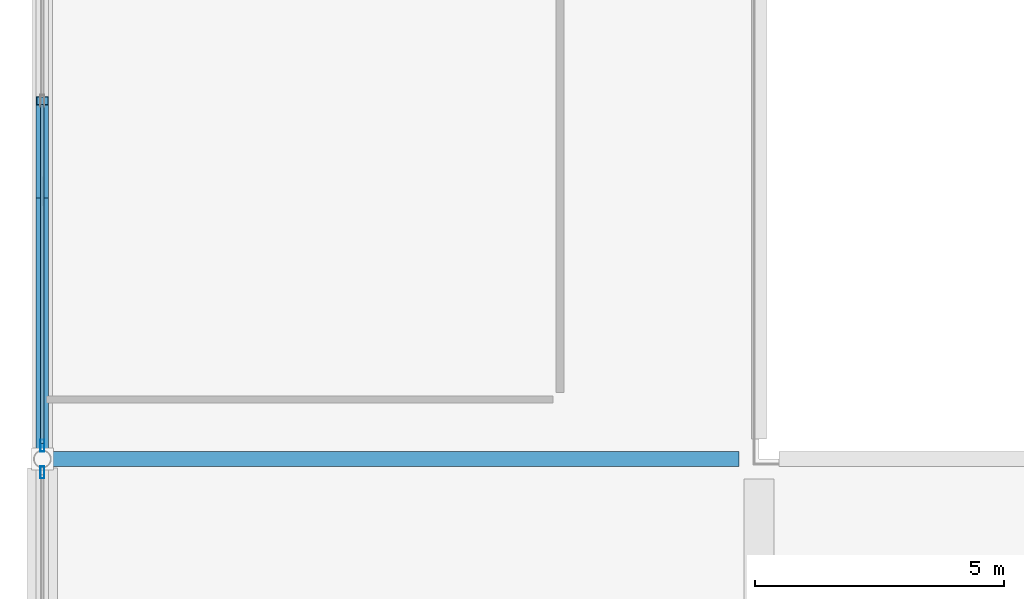
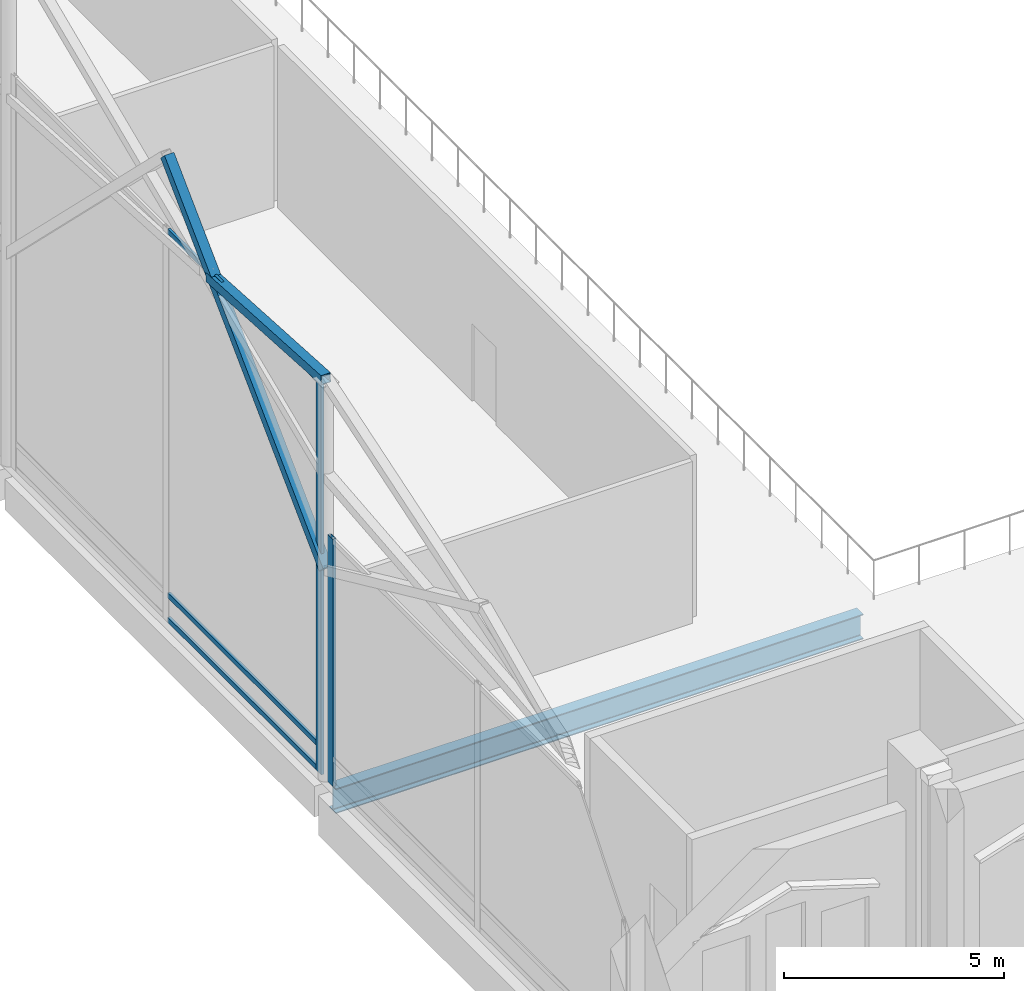
# One storey, part 49 of 220: 7 members, 1 beam, 2 elements without a shape of their own.
"""IFC4 building model written with IfcOpenShell, lengths in metres."""

from ifc_helpers import new_model, si_unit, direction, frame, origin, origin_2d, place, context, subcontext, project, spatial, hollow_rectangle, i_section, extrude, material, material_profile, profile_set, type_object, element, aggregate, save


model = new_model("IFC4")

# Units and contexts
model_context = context("Model", 3, precision=1e-05, world=origin(), true_north=direction((0.0, 1.0)))
body_context = subcontext(model_context, "Body", "Model", "MODEL_VIEW")
ifc_project = project(units=[si_unit("LENGTHUNIT", "METRE"), si_unit("AREAUNIT", "SQUARE_METRE"), si_unit("VOLUMEUNIT", "CUBIC_METRE"), si_unit("PLANEANGLEUNIT", "RADIAN"), si_unit("MASSUNIT", "GRAM", prefix="KILO")], contexts=[model_context])

# Site, building, storey
site_placement = place(None, origin())
site = spatial("IfcSite", under=ifc_project, at=site_placement, CompositionType="ELEMENT")
building_placement = place(site_placement, origin())
building = spatial("IfcBuilding", under=site, at=building_placement, Name="Cendralis Lancet Convention Centre", CompositionType="ELEMENT")
storey_placement = place(building_placement, frame((0.0, 0.0, 5.39990234375)))
storey = spatial("IfcBuildingStorey", under=building, at=storey_placement, Name="L01", CompositionType="ELEMENT", Elevation=5.39990234375)

# Curtain wall, member
ifc_material_1 = material(Name="Anodised bronze architectural aluminium", Category="aluminium")
curtain_wall_type = type_object("IfcCurtainWallType", Name="ARC-CW-GB02", PredefinedType="USERDEFINED", material=ifc_material_1)
curtain_wall_1_placement = place(storey_placement, origin())
curtain_wall_1 = element("IfcCurtainWall", 1, at=curtain_wall_1_placement, inside=storey, type_object=curtain_wall_type, Name="L01 Curtain Wall CW-GB2 #099", ObjectType="CURTAIN WALL", PredefinedType="USERDEFINED")
ifc_material_profile_1 = material_profile(ifc_material_1, hollow_rectangle(XDim=0.080078125, YDim=0.239990234375, WallThickness=0.0048828125, at=origin_2d()), Name="AL-MULL 80x240x5.0")
ifc_profile_set_1 = profile_set([ifc_material_profile_1], Name="Anodised bronze architectural aluminium")
member_type_1 = type_object("IfcMemberType", Name="ARC-CW-ML03", PredefinedType="MULLION", material=ifc_profile_set_1)
member_1_placement = place(storey_placement, frame((0.0, 64.5322265625, 0.0), z_axis=(0.0, 0.0, 1.0), x_axis=(1.0, 0.0, 0.0)))
member_1 = element("IfcMember", 2, at=member_1_placement, type_object=member_type_1, Name="Mullion CW2-CW-GB2-L01-099-M2", PredefinedType="MULLION", context=body_context, shape_type="SweptSolid", body=[
    extrude(hollow_rectangle(XDim=0.080078125, YDim=0.239990234375, WallThickness=0.0048828125, at=origin_2d()), origin(), (0.0, 0.0, 1.0), 6.85009765625),
])
aggregate(curtain_wall_1, [member_1])

# Curtain wall, members
curtain_wall_2_placement = place(storey_placement, origin())
curtain_wall_2 = element("IfcCurtainWall", 3, at=curtain_wall_2_placement, inside=storey, type_object=curtain_wall_type, Name="L01 Curtain Wall CW-GB2 #100", ObjectType="CURTAIN WALL", PredefinedType="USERDEFINED")
member_2_placement = place(storey_placement, frame((0.0, 65.06787109375, 0.0), z_axis=(0.0, 0.0, 1.0), x_axis=(1.0, 0.0, 0.0)))
member_2 = element("IfcMember", 4, at=member_2_placement, type_object=member_type_1, Name="Mullion CW2-CW-GB2-L01-100-M0", PredefinedType="MULLION", context=body_context, shape_type="SweptSolid", body=[
    extrude(hollow_rectangle(XDim=0.080078125, YDim=0.239990234375, WallThickness=0.0048828125, at=origin_2d()), origin(), (0.0, 0.0, 1.0), 10.901123046875),
])
ifc_material_profile_2 = material_profile(ifc_material_1, hollow_rectangle(XDim=0.070068359375, YDim=0.139892578125, WallThickness=0.00390625, at=origin_2d()), Name="AL-TRAN 70x140x4.0")
ifc_profile_set_2 = profile_set([ifc_material_profile_2], Name="Anodised bronze architectural aluminium")
member_type_2 = type_object("IfcMemberType", Name="ARC-CW-TR02", PredefinedType="USERDEFINED", material=ifc_profile_set_2)
member_3_placement = place(storey_placement, frame((0.0, 65.10791015625, 0.070068359375), z_axis=(0.0, 1.0, 0.0), x_axis=(-1.0, 0.0, 0.0)))
member_3 = element("IfcMember", 5, at=member_3_placement, type_object=member_type_2, Name="Transom CW2-CW-GB2-L01-100-T0BOT", ObjectType="TRANSOM", PredefinedType="USERDEFINED", context=body_context, shape_type="SweptSolid", body=[
    extrude(hollow_rectangle(XDim=0.070068359375, YDim=0.139892578125, WallThickness=0.00390625, at=origin_2d()), origin(), (0.0, 0.0, 1.0), 6.81201171875),
])
member_4_placement = place(storey_placement, frame((0.0, 65.10791015625, 0.75), z_axis=(0.0, 1.0, 0.0), x_axis=(-1.0, 0.0, 0.0)))
member_4 = element("IfcMember", 6, at=member_4_placement, type_object=member_type_2, Name="Transom CW2-CW-GB2-L01-100-T0MID", ObjectType="TRANSOM", PredefinedType="USERDEFINED", context=body_context, shape_type="SweptSolid", body=[
    extrude(hollow_rectangle(XDim=0.070068359375, YDim=0.139892578125, WallThickness=0.00390625, at=origin_2d()), origin(), (0.0, 0.0, 1.0), 6.81201171875),
])
member_5_placement = place(storey_placement, frame((0.0, 65.10791015625, 10.8310546875), z_axis=(0.0, 1.0, 0.0), x_axis=(-1.0, 0.0, 0.0)))
member_5 = element("IfcMember", 7, at=member_5_placement, type_object=member_type_2, Name="Transom CW2-CW-GB2-L01-100-T0TOP", ObjectType="TRANSOM", PredefinedType="USERDEFINED", context=body_context, shape_type="SweptSolid", body=[
    extrude(hollow_rectangle(XDim=0.070068359375, YDim=0.139892578125, WallThickness=0.00390625, at=origin_2d()), origin(), (0.0, 0.0, 1.0), 6.81201171875),
])
aggregate(curtain_wall_2, [member_2, member_3, member_4, member_5])

# Beam
ifc_material_2 = material(Name="Steel S355", Category="steel")
ifc_material_profile_3 = material_profile(ifc_material_2, i_section(OverallWidth=0.300048828125, OverallDepth=0.68994140625, WebThickness=0.014404296875, FlangeThickness=0.027099609375, FilletRadius=0.027099609375, at=origin_2d()), Name="HEA 700")
ifc_profile_set_3 = profile_set([ifc_material_profile_3], Name="Steel S355")
beam_type = type_object("IfcBeamType", Name="STR-BM-SG08", PredefinedType="BEAM", material=ifc_profile_set_3)
beam_placement = place(storey_placement, frame((0.177734375, 64.800048828125, -0.625), z_axis=(1.0, 0.0, 0.0), x_axis=(0.0, 1.0, 0.0)))
element("IfcBeam", 8, at=beam_placement, inside=storey, type_object=beam_type, Name="L01 Beam SG08 #1193", PredefinedType="BEAM", context=body_context, shape_type="SweptSolid", body=[
    extrude(i_section(OverallWidth=0.300048828125, OverallDepth=0.68994140625, WebThickness=0.014404296875, FlangeThickness=0.027099609375, FilletRadius=0.027099609375, at=origin_2d()), origin(), (0.0, 0.0, 1.0), 13.822265625),
])

# Members
ifc_material_profile_4 = material_profile(ifc_material_2, hollow_rectangle(XDim=0.25, YDim=0.25, WallThickness=0.012451171875, at=origin_2d()), Name="SHS 250x250x12.5")
ifc_profile_set_4 = profile_set([ifc_material_profile_4], Name="Steel S355")
member_type_3 = type_object("IfcMemberType", Name="STR-BR-GB01", PredefinedType="BRACE", material=ifc_profile_set_4)
member_6_placement = place(storey_placement, frame((0.0, 64.800048828125, 5.800048828125), z_axis=(0.0, 0.712944916229, 0.701220041373), x_axis=(-1.0, 0.0, 0.0)))
element("IfcMember", 9, at=member_6_placement, inside=storey, type_object=member_type_3, Name="Exhibition Gable Gothic Ogival Tracery Rib GBR1 #006", PredefinedType="BRACE", context=body_context, shape_type="SweptSolid", body=[
    extrude(hollow_rectangle(XDim=0.25, YDim=0.25, WallThickness=0.012451171875, at=origin_2d()), origin(), (0.0, 0.0, 1.0), 10.098876953125),
])
member_7_placement = place(storey_placement, frame((0.0, 70.034423828125, 10.742919921875), z_axis=(0.0, -0.998272124662, 0.058760234203), x_axis=(1.0, 0.0, 0.0)))
element("IfcMember", 10, at=member_7_placement, inside=storey, type_object=member_type_3, Name="Exhibition Gable Split X-Brace Rib GBR1 #010", PredefinedType="BRACE", context=body_context, shape_type="SweptSolid", body=[
    extrude(hollow_rectangle(XDim=0.25, YDim=0.25, WallThickness=0.012451171875, at=origin_2d()), origin(), (0.0, 0.0, 1.0), 5.243408203125),
])

save(model, "model.ifc")
